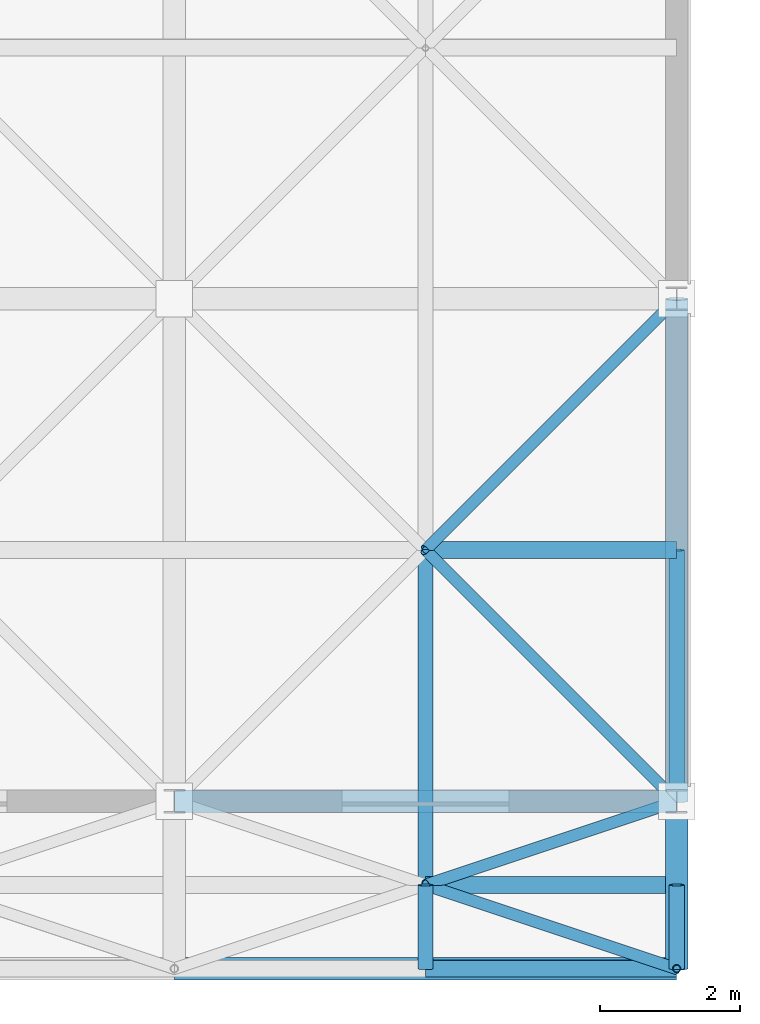
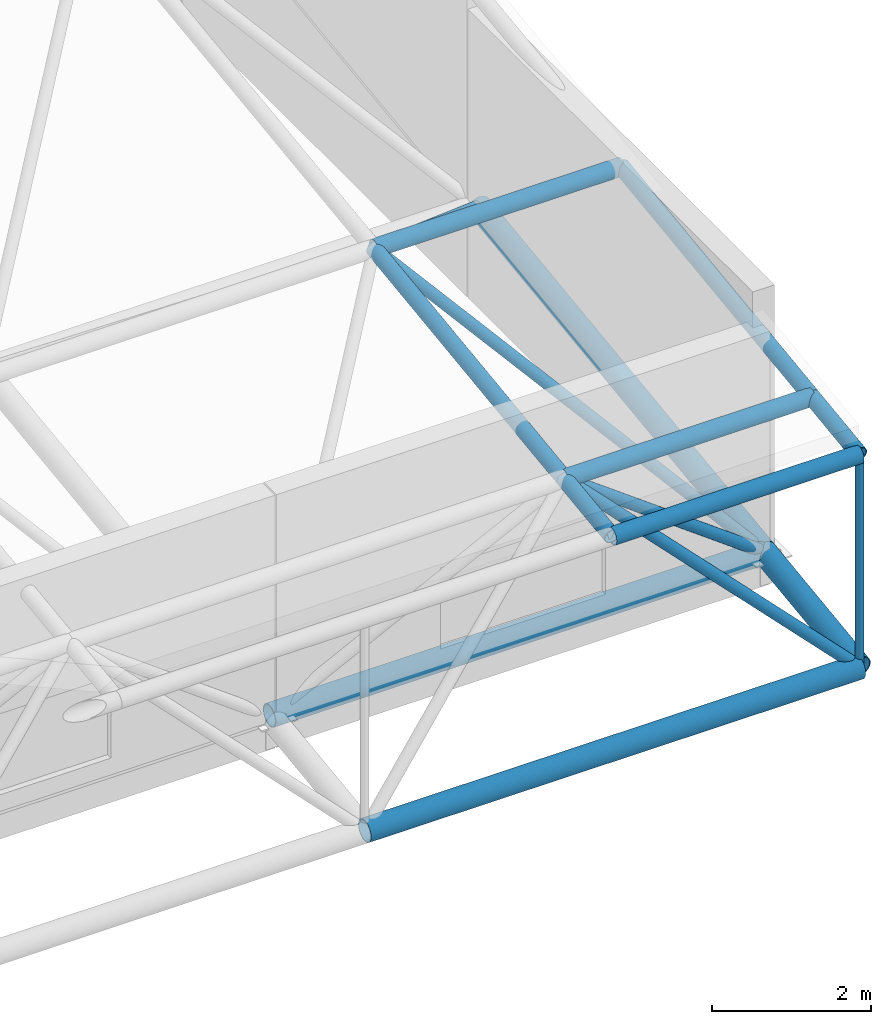
# One storey, part 54 of 103: 16 members.
"""IFC4 building model written with IfcOpenShell, lengths in metres."""

from ifc_helpers import new_model, si_unit, direction, frame, origin, origin_2d, place, context, subcontext, project, spatial, hollow_circle, extrude, material, material_profile, profile_set, type_object, element, save


model = new_model("IFC4")

# Units and contexts
model_context = context("Model", 3, precision=1e-05, world=origin(), true_north=direction((0.0, 1.0)))
body_context = subcontext(model_context, "Body", "Model", "MODEL_VIEW")
ifc_project = project(units=[si_unit("LENGTHUNIT", "METRE"), si_unit("AREAUNIT", "SQUARE_METRE"), si_unit("VOLUMEUNIT", "CUBIC_METRE"), si_unit("PLANEANGLEUNIT", "RADIAN"), si_unit("MASSUNIT", "GRAM", prefix="KILO")], contexts=[model_context])

# Site, building, storey
site_placement = place(None, origin())
site = spatial("IfcSite", under=ifc_project, at=site_placement, CompositionType="ELEMENT")
building_placement = place(site_placement, origin())
building = spatial("IfcBuilding", under=site, at=building_placement, Name="Thalmaran Polytechnic", CompositionType="ELEMENT")
storey_placement = place(building_placement, frame((0.0, 0.0, 14.39990234375)))
storey = spatial("IfcBuildingStorey", under=building, at=storey_placement, Name="L03", CompositionType="ELEMENT", Elevation=14.39990234375)

# Members
ifc_material = material(Name="Steel S355", Category="steel")
ifc_material_profile_1 = material_profile(ifc_material, hollow_circle(Radius=0.161865234375, WallThickness=0.012451171875, at=origin_2d()), Name="CHS 323.9x12.5")
ifc_profile_set_1 = profile_set([ifc_material_profile_1], Name="Steel S355")
member_type_1 = type_object("IfcMemberType", Name="MB-SFC0", PredefinedType="CHORD", material=ifc_profile_set_1)
member_1_placement = place(storey_placement, frame((165.60009765625, 0.0, 0.380126953125), z_axis=(1.0, 0.0, 0.0), x_axis=(0.0, 1.0, 0.0)))
element("IfcMember", 1, at=member_1_placement, inside=storey, type_object=member_type_1, Name="Space-Frame Bottom Chord X (8,1)", PredefinedType="CHORD", context=body_context, shape_type="SweptSolid", body=[
    extrude(hollow_circle(Radius=0.161865234375, WallThickness=0.012451171875, at=origin_2d()), origin(), (0.0, 0.0, 1.0), 7.199951171875),
])
member_2_placement = place(storey_placement, frame((172.800048828125, -2.39990234375, 0.064208984375), z_axis=(0.0, 0.99144674145, 0.130511910828), x_axis=(-1.0, 0.0, 0.0)))
element("IfcMember", 2, at=member_2_placement, inside=storey, type_object=member_type_1, Name="Space-Frame Bottom Chord Y (9,0)", PredefinedType="CHORD", context=body_context, shape_type="SweptSolid", body=[
    extrude(hollow_circle(Radius=0.161865234375, WallThickness=0.012451171875, at=origin_2d()), origin(), (0.0, 0.0, 1.0), 2.420654296875),
])
member_3_placement = place(storey_placement, frame((172.800048828125, 0.0, 0.380126953125), z_axis=(0.0, 0.991447314079, 0.130507560722), x_axis=(-1.0, 0.0, 0.0)))
element("IfcMember", 3, at=member_3_placement, inside=storey, type_object=member_type_1, Name="Space-Frame Bottom Chord Y (9,1)", PredefinedType="CHORD", context=body_context, shape_type="SweptSolid", body=[
    extrude(hollow_circle(Radius=0.161865234375, WallThickness=0.012451171875, at=origin_2d()), origin(), (0.0, 0.0, 1.0), 7.261962890625),
])
ifc_material_profile_2 = material_profile(ifc_material, hollow_circle(Radius=0.122314453125, WallThickness=0.010009765625, at=origin_2d()), Name="CHS 244.5x10.0")
ifc_profile_set_2 = profile_set([ifc_material_profile_2], Name="Steel S355")
member_type_2 = type_object("IfcMemberType", Name="MB-SFC1", PredefinedType="CHORD", material=ifc_profile_set_2)
for number, where, z_axis, x_axis, name in (
    (4, (169.199951171875, -2.39990234375, 3.334228515625), (1.0, 0.0, 0.0), (0.0, 1.0, 0.0), "Space-Frame Top Chord X (9,0)"),
    (5, (169.199951171875, -1.199951171875, 3.4921875), (1.0, 0.0, 0.0), (0.0, 1.0, 0.0), "Space-Frame Top Chord X (9,1)"),
    (6, (169.199951171875, 3.60009765625, 4.1240234375), (1.0, 0.0, 0.0), (0.0, 1.0, 0.0), "Space-Frame Top Chord X (9,2)"),
):
    element("IfcMember", number, at=place(storey_placement, frame(where, z_axis=z_axis, x_axis=x_axis)), inside=storey, type_object=member_type_2, Name=name, PredefinedType="CHORD", context=body_context, shape_type="SweptSolid", body=[
        extrude(hollow_circle(Radius=0.122314453125, WallThickness=0.010009765625, at=origin_2d()), origin(), (0.0, 0.0, 1.0), 3.60009765625),
    ])
ifc_material_profile_3 = material_profile(ifc_material, hollow_circle(Radius=0.109619140625, WallThickness=0.010009765625, at=origin_2d()), Name="CHS 219.1x10.0")
ifc_profile_set_3 = profile_set([ifc_material_profile_3], Name="Steel S355")
member_type_3 = type_object("IfcMemberType", Name="MB-SFC2", PredefinedType="CHORD", material=ifc_profile_set_3)
member_4_placement = place(storey_placement, frame((169.199951171875, -2.39990234375, 3.334228515625), z_axis=(0.0, 0.99144674145, 0.130511910828), x_axis=(-1.0, 0.0, 0.0)))
element("IfcMember", 7, at=member_4_placement, inside=storey, type_object=member_type_3, Name="Space-Frame Top Chord Y (9,0)", PredefinedType="CHORD", context=body_context, shape_type="SweptSolid", body=[
    extrude(hollow_circle(Radius=0.109619140625, WallThickness=0.010009765625, at=origin_2d()), origin(), (0.0, 0.0, 1.0), 1.210205078125),
])
member_5_placement = place(storey_placement, frame((169.199951171875, -1.199951171875, 3.4921875), z_axis=(0.0, 0.991447600372, 0.130505385777), x_axis=(-1.0, 0.0, 0.0)))
element("IfcMember", 8, at=member_5_placement, inside=storey, type_object=member_type_3, Name="Space-Frame Top Chord Y (9,1)", PredefinedType="CHORD", context=body_context, shape_type="SweptSolid", body=[
    extrude(hollow_circle(Radius=0.109619140625, WallThickness=0.010009765625, at=origin_2d()), origin(), (0.0, 0.0, 1.0), 4.841552734375),
])
member_6_placement = place(storey_placement, frame((172.800048828125, -2.39990234375, 3.334228515625), z_axis=(0.0, 0.99144674145, 0.130511910828), x_axis=(-1.0, 0.0, 0.0)))
element("IfcMember", 9, at=member_6_placement, inside=storey, type_object=member_type_3, Name="Space-Frame Top Chord Y (10,0)", PredefinedType="CHORD", context=body_context, shape_type="SweptSolid", body=[
    extrude(hollow_circle(Radius=0.109619140625, WallThickness=0.010009765625, at=origin_2d()), origin(), (0.0, 0.0, 1.0), 1.210205078125),
])
member_7_placement = place(storey_placement, frame((172.800048828125, -1.199951171875, 3.4921875), z_axis=(0.0, 0.991447600372, 0.130505385777), x_axis=(-1.0, 0.0, 0.0)))
element("IfcMember", 10, at=member_7_placement, inside=storey, type_object=member_type_3, Name="Space-Frame Top Chord Y (10,1)", PredefinedType="CHORD", context=body_context, shape_type="SweptSolid", body=[
    extrude(hollow_circle(Radius=0.109619140625, WallThickness=0.010009765625, at=origin_2d()), origin(), (0.0, 0.0, 1.0), 4.841552734375),
])
ifc_material_profile_4 = material_profile(ifc_material, hollow_circle(Radius=0.161865234375, WallThickness=0.012451171875, at=origin_2d()), Name="CHS 323.9x12.5")
ifc_profile_set_4 = profile_set([ifc_material_profile_4], Name="Steel S355")
member_type_4 = type_object("IfcMemberType", Name="MB-SFC4", PredefinedType="CHORD", material=ifc_profile_set_4)
member_8_placement = place(storey_placement, frame((165.60009765625, -2.39990234375, 0.064208984375), z_axis=(1.0, 0.0, 0.0), x_axis=(0.0, 1.0, 0.0)))
element("IfcMember", 11, at=member_8_placement, inside=storey, type_object=member_type_4, Name="Space-Frame Bottom Chord X (8,0)", PredefinedType="CHORD", context=body_context, shape_type="SweptSolid", body=[
    extrude(hollow_circle(Radius=0.161865234375, WallThickness=0.012451171875, at=origin_2d()), origin(), (0.0, 0.0, 1.0), 7.199951171875),
])
ifc_material_profile_5 = material_profile(ifc_material, hollow_circle(Radius=0.084228515625, WallThickness=0.008056640625, at=origin_2d()), Name="CHS 168.3x8.0")
ifc_profile_set_5 = profile_set([ifc_material_profile_5], Name="Steel S355")
member_type_5 = type_object("IfcMemberType", Name="MB-SFD1", PredefinedType="BRACE", material=ifc_profile_set_5)
member_9_placement = place(storey_placement, frame((172.800048828125, -2.39990234375, 0.064208984375), z_axis=(-0.703987521352, 0.234646593479, 0.670330176815), x_axis=(-0.316208465333, -0.948689731394, 0.0)))
element("IfcMember", 12, at=member_9_placement, inside=storey, type_object=member_type_5, Name="Space-Frame Web Diagonal (8,0)-2", PredefinedType="BRACE", context=body_context, shape_type="SweptSolid", body=[
    extrude(hollow_circle(Radius=0.084228515625, WallThickness=0.008056640625, at=origin_2d()), origin(), (0.0, 0.0, 1.0), 5.11376953125),
])
member_10_placement = place(storey_placement, frame((172.800048828125, 0.0, 0.380126953125), z_axis=(-0.733561258825, -0.244503837456, 0.634118090753), x_axis=(0.316208465333, -0.948689731394, 0.0)))
element("IfcMember", 13, at=member_10_placement, inside=storey, type_object=member_type_5, Name="Space-Frame Web Diagonal (8,0)-4", PredefinedType="BRACE", context=body_context, shape_type="SweptSolid", body=[
    extrude(hollow_circle(Radius=0.084228515625, WallThickness=0.008056640625, at=origin_2d()), origin(), (0.0, 0.0, 1.0), 4.90771484375),
])
member_11_placement = place(storey_placement, frame((172.800048828125, 0.0, 0.380126953125), z_axis=(-0.569665890713, 0.569665890713, 0.592420075552), x_axis=(-0.707106781187, -0.707106781187, 0.0)))
element("IfcMember", 14, at=member_11_placement, inside=storey, type_object=member_type_5, Name="Space-Frame Web Diagonal (8,1)-2", PredefinedType="BRACE", context=body_context, shape_type="SweptSolid", body=[
    extrude(hollow_circle(Radius=0.084228515625, WallThickness=0.008056640625, at=origin_2d()), origin(), (0.0, 0.0, 1.0), 6.319580078125),
])
member_12_placement = place(storey_placement, frame((172.800048828125, 7.199951171875, 1.327880859375), z_axis=(-0.619803774917, -0.619761742923, 0.481392420597), x_axis=(0.707082803744, -0.707130757816, 0.0)))
element("IfcMember", 15, at=member_12_placement, inside=storey, type_object=member_type_5, Name="Space-Frame Web Diagonal (8,1)-4", PredefinedType="BRACE", context=body_context, shape_type="SweptSolid", body=[
    extrude(hollow_circle(Radius=0.084228515625, WallThickness=0.008056640625, at=origin_2d()), origin(), (0.0, 0.0, 1.0), 5.808349609375),
])
ifc_material_profile_6 = material_profile(ifc_material, hollow_circle(Radius=0.05712890625, WallThickness=0.00634765625, at=origin_2d()), Name="CHS 114.3x6.3")
ifc_profile_set_6 = profile_set([ifc_material_profile_6], Name="Steel S355")
member_type_6 = type_object("IfcMemberType", Name="MB-SFD3", PredefinedType="BRACE", material=ifc_profile_set_6)
member_13_placement = place(storey_placement, frame((172.800048828125, -2.39990234375, 0.064208984375), z_axis=(0.0, 0.0, 1.0), x_axis=(1.0, 0.0, 0.0)))
element("IfcMember", 16, at=member_13_placement, inside=storey, type_object=member_type_6, Name="Space-Frame Eave Post (9,0)", PredefinedType="BRACE", context=body_context, shape_type="SweptSolid", body=[
    extrude(hollow_circle(Radius=0.05712890625, WallThickness=0.00634765625, at=origin_2d()), origin(), (0.0, 0.0, 1.0), 3.27001953125),
])

save(model, "model.ifc")
